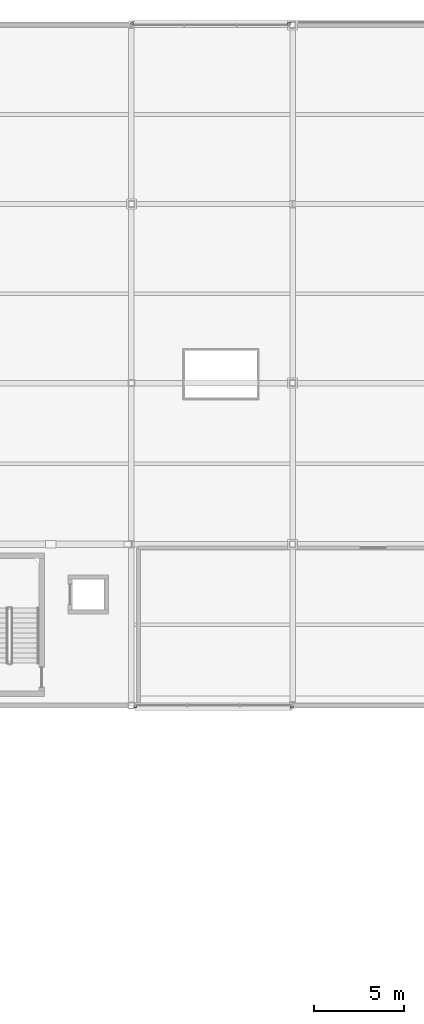
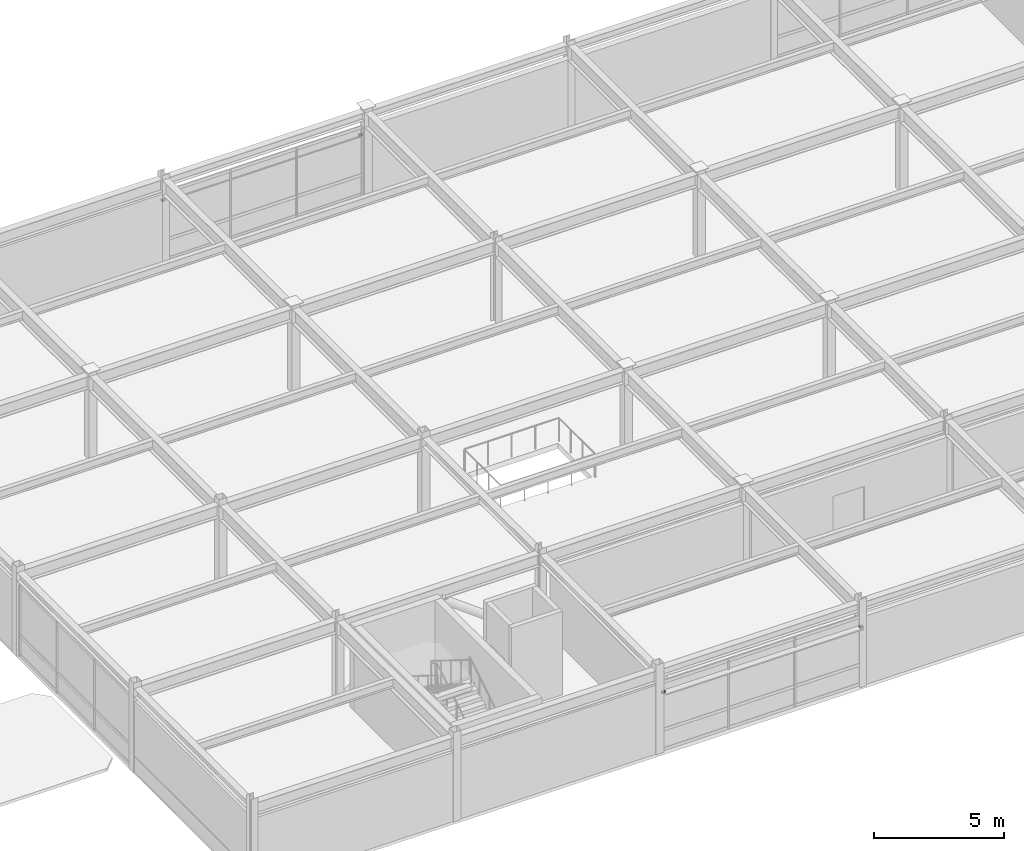
# One storey, part 34 of 40: 4 discrete accessories.
"""IFC4 building model written with IfcOpenShell, lengths in metres."""

from ifc_helpers import new_model, si_unit, direction, frame, origin, origin_2d, place, context, subcontext, project, spatial, rectangle, extrude, material, type_object, element, save


model = new_model("IFC4")

# Units and contexts
model_context = context("Model", 3, precision=1e-05, world=origin(), true_north=direction((0.0, 1.0)))
body_context = subcontext(model_context, "Body", "Model", "MODEL_VIEW")
ifc_project = project(units=[si_unit("LENGTHUNIT", "METRE"), si_unit("AREAUNIT", "SQUARE_METRE"), si_unit("VOLUMEUNIT", "CUBIC_METRE"), si_unit("PLANEANGLEUNIT", "RADIAN"), si_unit("MASSUNIT", "GRAM", prefix="KILO")], contexts=[model_context])

# Site, building, storey
site_placement = place(None, origin())
site = spatial("IfcSite", under=ifc_project, at=site_placement, CompositionType="ELEMENT")
building_placement = place(site_placement, origin())
building = spatial("IfcBuilding", under=site, at=building_placement, Name="Suzunagisa Mobility Hub", CompositionType="ELEMENT")
storey_placement = place(building_placement, frame((0.0, 0.0, 21.89990234375)))
storey = spatial("IfcBuildingStorey", under=building, at=storey_placement, Name="L05", CompositionType="ELEMENT", Elevation=21.89990234375)

# Discrete accessories
ifc_material = material(Name="Stainless Steel SUS316", Category="metal")
discrete_accessory_type = type_object("IfcDiscreteAccessoryType", Name="Stainless Sunshade Outrigger Bracket BRK-01", PredefinedType="BRACKET", material=ifc_material)
for number, where, z_axis, x_axis, name in (
    (1, (63.205078125, 79.9150390625, 2.72998046875), (0.0, 0.0, 1.0), (1.0, 0.0, 0.0), "Sunshade Outrigger Bracket BRK-28.1"),
    (2, (71.965576171875, 79.9150390625, 2.72998046875), (0.0, 0.0, 1.0), (1.0, 0.0, 0.0), "Sunshade Outrigger Bracket BRK-28.2"),
    (3, (71.794921875, 118.0849609375, 2.72998046875), (0.0, 0.0, 1.0), (-1.0, 0.0, 0.0), "Sunshade Outrigger Bracket BRK-29.1"),
    (4, (63.034423828125, 118.0849609375, 2.72998046875), (0.0, 0.0, 1.0), (-1.0, 0.0, 0.0), "Sunshade Outrigger Bracket BRK-29.2"),
):
    element("IfcDiscreteAccessory", number, at=place(storey_placement, frame(where, z_axis=z_axis, x_axis=x_axis)), inside=storey, type_object=discrete_accessory_type, Name=name, PredefinedType="BRACKET", context=body_context, shape_type="SweptSolid", body=[
        extrude(rectangle(XDim=0.159912109375, YDim=0.1201171875, at=origin_2d()), origin(), (0.0, 0.0, 1.0), 0.080078125),
    ])

save(model, "model.ifc")
